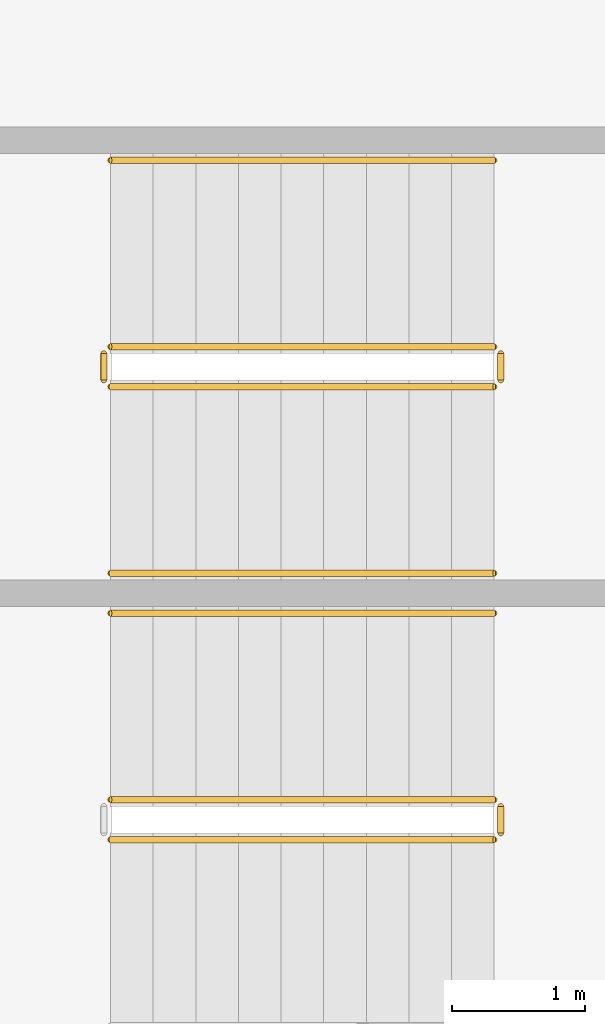
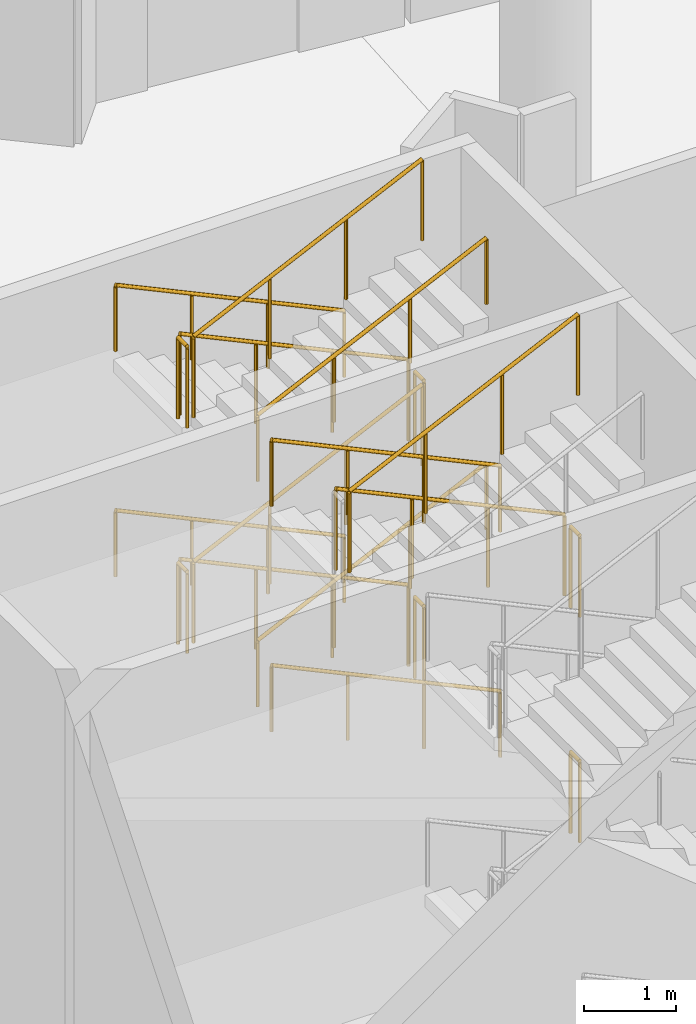
# One storey, part 229 of 249: 18 railings.
"""IFC4 building model written with IfcOpenShell, lengths in metres."""

from ifc_helpers import new_model, si_unit, direction, frame, origin, origin_2d, place, context, subcontext, project, spatial, circle, extrude, material, type_object, element, save


model = new_model("IFC4")

# Units and contexts
model_context = context("Model", 3, precision=1e-05, world=origin(), true_north=direction((0.0, 1.0)))
body_context = subcontext(model_context, "Body", "Model", "MODEL_VIEW")
ifc_project = project(units=[si_unit("LENGTHUNIT", "METRE"), si_unit("AREAUNIT", "SQUARE_METRE"), si_unit("VOLUMEUNIT", "CUBIC_METRE"), si_unit("PLANEANGLEUNIT", "RADIAN"), si_unit("MASSUNIT", "GRAM", prefix="KILO")], contexts=[model_context])

# Site, building, storey
site_placement = place(None, origin())
site = spatial("IfcSite", under=ifc_project, at=site_placement, CompositionType="ELEMENT")
building_placement = place(site_placement, origin())
building = spatial("IfcBuilding", under=site, at=building_placement, Name="Meseta Stadium", CompositionType="ELEMENT")
storey_placement = place(building_placement, frame((0.0, 0.0, 12.0)))
storey = spatial("IfcBuildingStorey", under=building, at=storey_placement, Name="L02", CompositionType="ELEMENT", Elevation=12.0)

# Railings
ifc_material_1 = material(Name="Steel S355", Category="steel")
railing_type_1 = type_object("IfcRailingType", Name="Stair guard 1100", PredefinedType="GUARDRAIL", material=ifc_material_1)
railing_1_placement = place(storey_placement, frame((-90.300048828125, 36.5, 0.14990234375)))
element("IfcRailing", 1, at=railing_1_placement, inside=storey, type_object=railing_type_1, Name="ST61 L02 guard 1", PredefinedType="GUARDRAIL", context=body_context, shape_type="SweptSolid", body=[
    extrude(circle(Radius=0.02392578125, at=origin_2d()), frame((0.0, 0.0, 1.076171875), z_axis=(-0.905440498372, 0.0, 0.424473207528), x_axis=(0.0, -1.0, 0.0)), (0.0, 0.0, 1.0), 3.1806640625),
    extrude(circle(Radius=0.02099609375, at=origin_2d()), origin(), (0.0, 0.0, 1.0), 1.052001953125),
    extrude(circle(Radius=0.02099609375, at=origin_2d()), frame((-0.9599609375, 0.0, 0.449951171875)), (0.0, 0.0, 1.0), 1.052001953125),
    extrude(circle(Radius=0.02099609375, at=origin_2d()), frame((-1.919921875, 0.0, 0.900146484375)), (0.0, 0.0, 1.0), 1.052001953125),
    extrude(circle(Radius=0.02099609375, at=origin_2d()), frame((-2.8798828125, 0.0, 1.35009765625)), (0.0, 0.0, 1.0), 1.052001953125),
])
railing_2_placement = place(storey_placement, frame((-93.22998046875, 36.449951171875, 1.5)))
element("IfcRailing", 2, at=railing_2_placement, inside=storey, type_object=railing_type_1, Name="ST61 L02 guard 2", PredefinedType="GUARDRAIL", context=body_context, shape_type="SweptSolid", body=[
    extrude(circle(Radius=0.02392578125, at=origin_2d()), frame((0.0, 0.0, 1.076171875), z_axis=(0.0, -1.0, 0.0), x_axis=(1.0, 0.0, 0.0)), (0.0, 0.0, 1.0), 0.199951171875),
    extrude(circle(Radius=0.02099609375, at=origin_2d()), origin(), (0.0, 0.0, 1.0), 1.052001953125),
    extrude(circle(Radius=0.02099609375, at=origin_2d()), frame((0.0, -0.199951171875, 0.0)), (0.0, 0.0, 1.0), 1.052001953125),
])
railing_3_placement = place(storey_placement, frame((-93.179931640625, 36.199951171875, 1.64990234375)))
element("IfcRailing", 3, at=railing_3_placement, inside=storey, type_object=railing_type_1, Name="ST61 L02 guard 3", PredefinedType="GUARDRAIL", context=body_context, shape_type="SweptSolid", body=[
    extrude(circle(Radius=0.02392578125, at=origin_2d()), frame((0.0, 0.0, 1.076171875), z_axis=(0.905440498372, 0.0, 0.424473207528), x_axis=(0.0, 1.0, 0.0)), (0.0, 0.0, 1.0), 3.1806640625),
    extrude(circle(Radius=0.02099609375, at=origin_2d()), origin(), (0.0, 0.0, 1.0), 1.052001953125),
    extrude(circle(Radius=0.02099609375, at=origin_2d()), frame((0.9599609375, 0.0, 0.449951171875)), (0.0, 0.0, 1.0), 1.052001953125),
    extrude(circle(Radius=0.02099609375, at=origin_2d()), frame((1.919921875, 0.0, 0.900146484375)), (0.0, 0.0, 1.0), 1.052001953125),
    extrude(circle(Radius=0.02099609375, at=origin_2d()), frame((2.8798828125, 0.0, 1.35009765625)), (0.0, 0.0, 1.0), 1.052001953125),
])
railing_4_placement = place(storey_placement, frame((-90.25, 36.449951171875, 3.0)))
element("IfcRailing", 4, at=railing_4_placement, inside=storey, type_object=railing_type_1, Name="ST61 L02 guard 4", PredefinedType="GUARDRAIL", context=body_context, shape_type="SweptSolid", body=[
    extrude(circle(Radius=0.02392578125, at=origin_2d()), frame((0.0, 0.0, 1.076171875), z_axis=(0.0, -1.0, 0.0), x_axis=(1.0, 0.0, 0.0)), (0.0, 0.0, 1.0), 0.199951171875),
    extrude(circle(Radius=0.02099609375, at=origin_2d()), origin(), (0.0, 0.0, 1.0), 1.052001953125),
    extrude(circle(Radius=0.02099609375, at=origin_2d()), frame((0.0, -0.199951171875, 0.0)), (0.0, 0.0, 1.0), 1.052001953125),
])
railing_5_placement = place(storey_placement, frame((-90.300048828125, 36.5, 3.14990234375)))
element("IfcRailing", 5, at=railing_5_placement, inside=storey, type_object=railing_type_1, Name="ST61 L02 guard 5", PredefinedType="GUARDRAIL", context=body_context, shape_type="SweptSolid", body=[
    extrude(circle(Radius=0.02392578125, at=origin_2d()), frame((0.0, 0.0, 1.076171875), z_axis=(-0.905440498372, 0.0, 0.424473207528), x_axis=(0.0, -1.0, 0.0)), (0.0, 0.0, 1.0), 3.1806640625),
    extrude(circle(Radius=0.02099609375, at=origin_2d()), origin(), (0.0, 0.0, 1.0), 1.052001953125),
    extrude(circle(Radius=0.02099609375, at=origin_2d()), frame((-0.9599609375, 0.0, 0.449951171875)), (0.0, 0.0, 1.0), 1.052001953125),
    extrude(circle(Radius=0.02099609375, at=origin_2d()), frame((-1.919921875, 0.0, 0.900146484375)), (0.0, 0.0, 1.0), 1.052001953125),
    extrude(circle(Radius=0.02099609375, at=origin_2d()), frame((-2.8798828125, 0.0, 1.35009765625)), (0.0, 0.0, 1.0), 1.052001953125),
])
railing_6_placement = place(storey_placement, frame((-93.22998046875, 36.449951171875, 4.5)))
element("IfcRailing", 6, at=railing_6_placement, inside=storey, type_object=railing_type_1, Name="ST61 L02 guard 6", PredefinedType="GUARDRAIL", context=body_context, shape_type="SweptSolid", body=[
    extrude(circle(Radius=0.02392578125, at=origin_2d()), frame((0.0, 0.0, 1.076171875), z_axis=(0.0, -1.0, 0.0), x_axis=(1.0, 0.0, 0.0)), (0.0, 0.0, 1.0), 0.199951171875),
    extrude(circle(Radius=0.02099609375, at=origin_2d()), origin(), (0.0, 0.0, 1.0), 1.052001953125),
    extrude(circle(Radius=0.02099609375, at=origin_2d()), frame((0.0, -0.199951171875, 0.0)), (0.0, 0.0, 1.0), 1.052001953125),
])
railing_7_placement = place(storey_placement, frame((-93.179931640625, 36.199951171875, 4.64990234375)))
element("IfcRailing", 7, at=railing_7_placement, inside=storey, type_object=railing_type_1, Name="ST61 L02 guard 7", PredefinedType="GUARDRAIL", context=body_context, shape_type="SweptSolid", body=[
    extrude(circle(Radius=0.02392578125, at=origin_2d()), frame((0.0, 0.0, 1.076171875), z_axis=(0.905440498372, 0.0, 0.424473207528), x_axis=(0.0, 1.0, 0.0)), (0.0, 0.0, 1.0), 3.1806640625),
    extrude(circle(Radius=0.02099609375, at=origin_2d()), origin(), (0.0, 0.0, 1.0), 1.052001953125),
    extrude(circle(Radius=0.02099609375, at=origin_2d()), frame((0.9599609375, 0.0, 0.449951171875)), (0.0, 0.0, 1.0), 1.052001953125),
    extrude(circle(Radius=0.02099609375, at=origin_2d()), frame((1.919921875, 0.0, 0.900146484375)), (0.0, 0.0, 1.0), 1.052001953125),
    extrude(circle(Radius=0.02099609375, at=origin_2d()), frame((2.8798828125, 0.0, 1.35009765625)), (0.0, 0.0, 1.0), 1.052001953125),
])
for number, where, name in (
    (8, (-90.25, 36.449951171875, 0.0), "ST61 L02 guard 8"),
    (9, (-90.25, 33.050048828125, 3.0), "ST62 L02 guard 4"),
):
    element("IfcRailing", number, at=place(storey_placement, frame(where)), inside=storey, type_object=railing_type_1, Name=name, PredefinedType="GUARDRAIL", context=body_context, shape_type="SweptSolid", body=[
        extrude(circle(Radius=0.02392578125, at=origin_2d()), frame((0.0, 0.0, 1.076171875), z_axis=(0.0, -1.0, 0.0), x_axis=(1.0, 0.0, 0.0)), (0.0, 0.0, 1.0), 0.199951171875),
        extrude(circle(Radius=0.02099609375, at=origin_2d()), origin(), (0.0, 0.0, 1.0), 1.052001953125),
        extrude(circle(Radius=0.02099609375, at=origin_2d()), frame((0.0, -0.199951171875, 0.0)), (0.0, 0.0, 1.0), 1.052001953125),
    ])
railing_8_placement = place(storey_placement, frame((-90.300048828125, 33.10009765625, 3.14990234375)))
element("IfcRailing", 10, at=railing_8_placement, inside=storey, type_object=railing_type_1, Name="ST62 L02 guard 5", PredefinedType="GUARDRAIL", context=body_context, shape_type="SweptSolid", body=[
    extrude(circle(Radius=0.02392578125, at=origin_2d()), frame((0.0, 0.0, 1.076171875), z_axis=(-0.905440498372, 0.0, 0.424473207528), x_axis=(0.0, -1.0, 0.0)), (0.0, 0.0, 1.0), 3.1806640625),
    extrude(circle(Radius=0.02099609375, at=origin_2d()), origin(), (0.0, 0.0, 1.0), 1.052001953125),
    extrude(circle(Radius=0.02099609375, at=origin_2d()), frame((-0.9599609375, 0.0, 0.449951171875)), (0.0, 0.0, 1.0), 1.052001953125),
    extrude(circle(Radius=0.02099609375, at=origin_2d()), frame((-1.919921875, 0.0, 0.900146484375)), (0.0, 0.0, 1.0), 1.052001953125),
    extrude(circle(Radius=0.02099609375, at=origin_2d()), frame((-2.8798828125, 0.0, 1.35009765625)), (0.0, 0.0, 1.0), 1.052001953125),
])
railing_9_placement = place(storey_placement, frame((-93.179931640625, 32.800048828125, 4.64990234375)))
element("IfcRailing", 11, at=railing_9_placement, inside=storey, type_object=railing_type_1, Name="ST62 L02 guard 7", PredefinedType="GUARDRAIL", context=body_context, shape_type="SweptSolid", body=[
    extrude(circle(Radius=0.02392578125, at=origin_2d()), frame((0.0, 0.0, 1.076171875), z_axis=(0.905440498372, 0.0, 0.424473207528), x_axis=(0.0, 1.0, 0.0)), (0.0, 0.0, 1.0), 3.1806640625),
    extrude(circle(Radius=0.02099609375, at=origin_2d()), origin(), (0.0, 0.0, 1.0), 1.052001953125),
    extrude(circle(Radius=0.02099609375, at=origin_2d()), frame((0.9599609375, 0.0, 0.449951171875)), (0.0, 0.0, 1.0), 1.052001953125),
    extrude(circle(Radius=0.02099609375, at=origin_2d()), frame((1.919921875, 0.0, 0.900146484375)), (0.0, 0.0, 1.0), 1.052001953125),
    extrude(circle(Radius=0.02099609375, at=origin_2d()), frame((2.8798828125, 0.0, 1.35009765625)), (0.0, 0.0, 1.0), 1.052001953125),
])
railing_10_placement = place(storey_placement, frame((-90.25, 33.050048828125, 0.0)))
element("IfcRailing", 12, at=railing_10_placement, inside=storey, type_object=railing_type_1, Name="ST62 L02 guard 8", PredefinedType="GUARDRAIL", context=body_context, shape_type="SweptSolid", body=[
    extrude(circle(Radius=0.02392578125, at=origin_2d()), frame((0.0, 0.0, 1.076171875), z_axis=(0.0, -1.0, 0.0), x_axis=(1.0, 0.0, 0.0)), (0.0, 0.0, 1.0), 0.199951171875),
    extrude(circle(Radius=0.02099609375, at=origin_2d()), origin(), (0.0, 0.0, 1.0), 1.052001953125),
    extrude(circle(Radius=0.02099609375, at=origin_2d()), frame((0.0, -0.199951171875, 0.0)), (0.0, 0.0, 1.0), 1.052001953125),
])
ifc_material_2 = material(Name="Steel S355", Category="steel")
railing_type_2 = type_object("IfcRailingType", Name="Stair handrail 900", PredefinedType="HANDRAIL", material=ifc_material_2)
railing_11_placement = place(storey_placement, frame((-90.300048828125, 37.89990234375, 0.14990234375)))
element("IfcRailing", 13, at=railing_11_placement, inside=storey, type_object=railing_type_2, Name="ST61 L02 handrail 1", PredefinedType="HANDRAIL", context=body_context, shape_type="SweptSolid", body=[
    extrude(circle(Radius=0.02392578125, at=origin_2d()), frame((0.0, 0.0, 0.8759765625), z_axis=(-0.905440498372, 0.0, 0.424473207528), x_axis=(0.0, -1.0, 0.0)), (0.0, 0.0, 1.0), 3.1806640625),
    extrude(circle(Radius=0.02099609375, at=origin_2d()), origin(), (0.0, 0.0, 1.0), 0.851806640625),
    extrude(circle(Radius=0.02099609375, at=origin_2d()), frame((-0.9599609375, 0.0, 0.449951171875)), (0.0, 0.0, 1.0), 0.851806640625),
    extrude(circle(Radius=0.02099609375, at=origin_2d()), frame((-1.919921875, 0.0, 0.900146484375)), (0.0, 0.0, 1.0), 0.851806640625),
    extrude(circle(Radius=0.02099609375, at=origin_2d()), frame((-2.8798828125, 0.0, 1.35009765625)), (0.0, 0.0, 1.0), 0.851806640625),
])
railing_12_placement = place(storey_placement, frame((-93.179931640625, 34.800048828125, 1.64990234375)))
element("IfcRailing", 14, at=railing_12_placement, inside=storey, type_object=railing_type_2, Name="ST61 L02 handrail 2", PredefinedType="HANDRAIL", context=body_context, shape_type="SweptSolid", body=[
    extrude(circle(Radius=0.02392578125, at=origin_2d()), frame((0.0, 0.0, 0.8759765625), z_axis=(0.905440498372, 0.0, 0.424473207528), x_axis=(0.0, 1.0, 0.0)), (0.0, 0.0, 1.0), 3.1806640625),
    extrude(circle(Radius=0.02099609375, at=origin_2d()), origin(), (0.0, 0.0, 1.0), 0.851806640625),
    extrude(circle(Radius=0.02099609375, at=origin_2d()), frame((0.9599609375, 0.0, 0.449951171875)), (0.0, 0.0, 1.0), 0.851806640625),
    extrude(circle(Radius=0.02099609375, at=origin_2d()), frame((1.919921875, 0.0, 0.900146484375)), (0.0, 0.0, 1.0), 0.851806640625),
    extrude(circle(Radius=0.02099609375, at=origin_2d()), frame((2.8798828125, 0.0, 1.35009765625)), (0.0, 0.0, 1.0), 0.851806640625),
])
railing_13_placement = place(storey_placement, frame((-90.300048828125, 37.89990234375, 3.14990234375)))
element("IfcRailing", 15, at=railing_13_placement, inside=storey, type_object=railing_type_2, Name="ST61 L02 handrail 3", PredefinedType="HANDRAIL", context=body_context, shape_type="SweptSolid", body=[
    extrude(circle(Radius=0.02392578125, at=origin_2d()), frame((0.0, 0.0, 0.8759765625), z_axis=(-0.905440498372, 0.0, 0.424473207528), x_axis=(0.0, -1.0, 0.0)), (0.0, 0.0, 1.0), 3.1806640625),
    extrude(circle(Radius=0.02099609375, at=origin_2d()), origin(), (0.0, 0.0, 1.0), 0.851806640625),
    extrude(circle(Radius=0.02099609375, at=origin_2d()), frame((-0.9599609375, 0.0, 0.449951171875)), (0.0, 0.0, 1.0), 0.851806640625),
    extrude(circle(Radius=0.02099609375, at=origin_2d()), frame((-1.919921875, 0.0, 0.900146484375)), (0.0, 0.0, 1.0), 0.851806640625),
    extrude(circle(Radius=0.02099609375, at=origin_2d()), frame((-2.8798828125, 0.0, 1.35009765625)), (0.0, 0.0, 1.0), 0.851806640625),
])
railing_14_placement = place(storey_placement, frame((-93.179931640625, 34.800048828125, 4.64990234375)))
element("IfcRailing", 16, at=railing_14_placement, inside=storey, type_object=railing_type_2, Name="ST61 L02 handrail 4", PredefinedType="HANDRAIL", context=body_context, shape_type="SweptSolid", body=[
    extrude(circle(Radius=0.02392578125, at=origin_2d()), frame((0.0, 0.0, 0.8759765625), z_axis=(0.905440498372, 0.0, 0.424473207528), x_axis=(0.0, 1.0, 0.0)), (0.0, 0.0, 1.0), 3.1806640625),
    extrude(circle(Radius=0.02099609375, at=origin_2d()), origin(), (0.0, 0.0, 1.0), 0.851806640625),
    extrude(circle(Radius=0.02099609375, at=origin_2d()), frame((0.9599609375, 0.0, 0.449951171875)), (0.0, 0.0, 1.0), 0.851806640625),
    extrude(circle(Radius=0.02099609375, at=origin_2d()), frame((1.919921875, 0.0, 0.900146484375)), (0.0, 0.0, 1.0), 0.851806640625),
    extrude(circle(Radius=0.02099609375, at=origin_2d()), frame((2.8798828125, 0.0, 1.35009765625)), (0.0, 0.0, 1.0), 0.851806640625),
])
for number, where, name in (
    (17, (-90.300048828125, 34.5, 0.14990234375), "ST62 L02 handrail 1"),
    (18, (-90.300048828125, 34.5, 3.14990234375), "ST62 L02 handrail 3"),
):
    element("IfcRailing", number, at=place(storey_placement, frame(where)), inside=storey, type_object=railing_type_2, Name=name, PredefinedType="HANDRAIL", context=body_context, shape_type="SweptSolid", body=[
        extrude(circle(Radius=0.02392578125, at=origin_2d()), frame((0.0, 0.0, 0.8759765625), z_axis=(-0.905440498372, 0.0, 0.424473207528), x_axis=(0.0, -1.0, 0.0)), (0.0, 0.0, 1.0), 3.1806640625),
        extrude(circle(Radius=0.02099609375, at=origin_2d()), origin(), (0.0, 0.0, 1.0), 0.851806640625),
        extrude(circle(Radius=0.02099609375, at=origin_2d()), frame((-0.9599609375, 0.0, 0.449951171875)), (0.0, 0.0, 1.0), 0.851806640625),
        extrude(circle(Radius=0.02099609375, at=origin_2d()), frame((-1.919921875, 0.0, 0.900146484375)), (0.0, 0.0, 1.0), 0.851806640625),
        extrude(circle(Radius=0.02099609375, at=origin_2d()), frame((-2.8798828125, 0.0, 1.35009765625)), (0.0, 0.0, 1.0), 0.851806640625),
    ])

save(model, "model.ifc")
